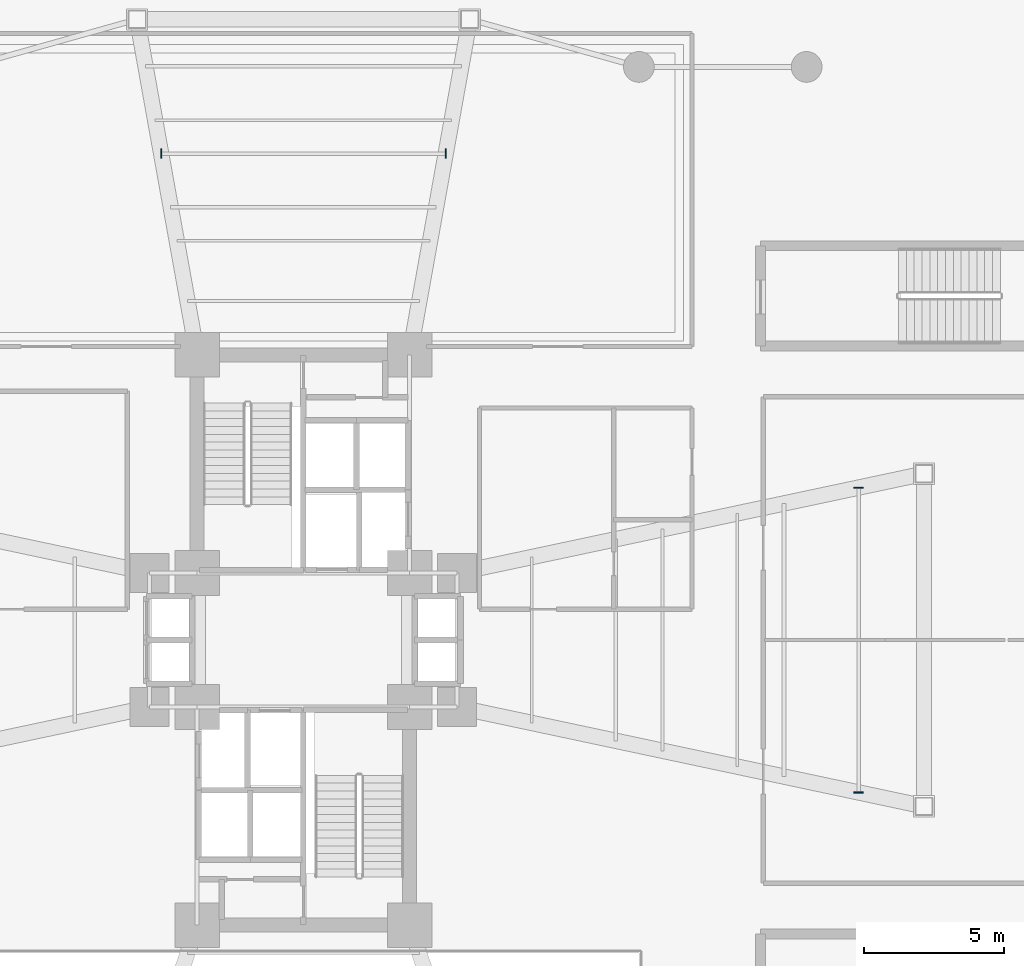
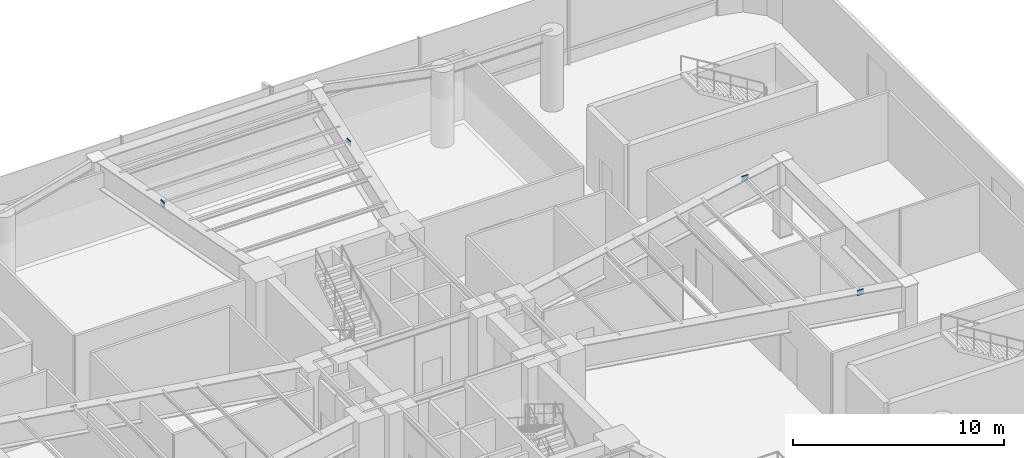
# One storey, part 14 of 22: 4 plates.
"""IFC4 building model written with IfcOpenShell, lengths in metres."""

from ifc_helpers import new_model, si_unit, direction, frame, origin, origin_2d, place, context, subcontext, project, spatial, rectangle, extrude, source, transform, mapped, material, type_object, element, save


model = new_model("IFC4")

# Units and contexts
model_context = context("Model", 3, precision=1e-05, world=origin(), true_north=direction((0.0, 1.0)))
body_context = subcontext(model_context, "Body", "Model", "MODEL_VIEW")
ifc_project = project(units=[si_unit("LENGTHUNIT", "METRE"), si_unit("AREAUNIT", "SQUARE_METRE"), si_unit("VOLUMEUNIT", "CUBIC_METRE"), si_unit("PLANEANGLEUNIT", "RADIAN"), si_unit("MASSUNIT", "GRAM", prefix="KILO")], contexts=[model_context])

# Site, building, storey
site_placement = place(None, origin())
site = spatial("IfcSite", under=ifc_project, at=site_placement, CompositionType="ELEMENT")
building_placement = place(site_placement, origin())
building = spatial("IfcBuilding", under=site, at=building_placement, Name="Sahyath Konkavel Grand Hotel", CompositionType="ELEMENT")
storey_placement = place(building_placement, frame((0.0, 0.0, 9.300048828125)))
storey = spatial("IfcBuildingStorey", under=building, at=storey_placement, Name="L02", CompositionType="ELEMENT", Elevation=9.300048828125)

# Plates
ifc_material = material(Name="Steel E450", Category="steel")
plate_type = type_object("IfcPlateType", Name="GUSSET-END-35", PredefinedType="USERDEFINED", material=ifc_material)
shared_shape = source(origin(), body_context, "Body", "SweptSolid", [
    extrude(rectangle(XDim=0.0400390625, YDim=0.340087890625, at=origin_2d()), origin(), (0.0, 0.0, 1.0), 0.300048828125),
])
for number, where, z_axis, x_axis, name in (
    (1, (19.862060546875, -5.452880859375, 4.14013671875), (0.0, 0.0, 1.0), (0.0, 1.0, 0.0), "L02 Sub-Beam E-6 End Cap A"),
    (2, (19.862060546875, 5.452880859375, 4.14013671875), (0.0, 0.0, 1.0), (0.0, 1.0, 0.0), "L02 Sub-Beam E-6 End Cap B"),
    (3, (5.090087890625, 17.39990234375, 4.14013671875), (0.0, 0.0, 1.0), (-1.0, 0.0, 0.0), "L02 Sub-Beam N-4 End Cap A"),
    (4, (-5.090087890625, 17.39990234375, 4.14013671875), (0.0, 0.0, 1.0), (-1.0, 0.0, 0.0), "L02 Sub-Beam N-4 End Cap B"),
):
    element("IfcPlate", number, at=place(storey_placement, frame(where, z_axis=z_axis, x_axis=x_axis)), inside=storey, type_object=plate_type, Name=name, ObjectType="GUSSET_PLATE", PredefinedType="USERDEFINED", context=body_context, shape_type="MappedRepresentation", body=[
        mapped(shared_shape, transform((0.0, 0.0, 0.0), scale=1.0)),
    ])

save(model, "model.ifc")
